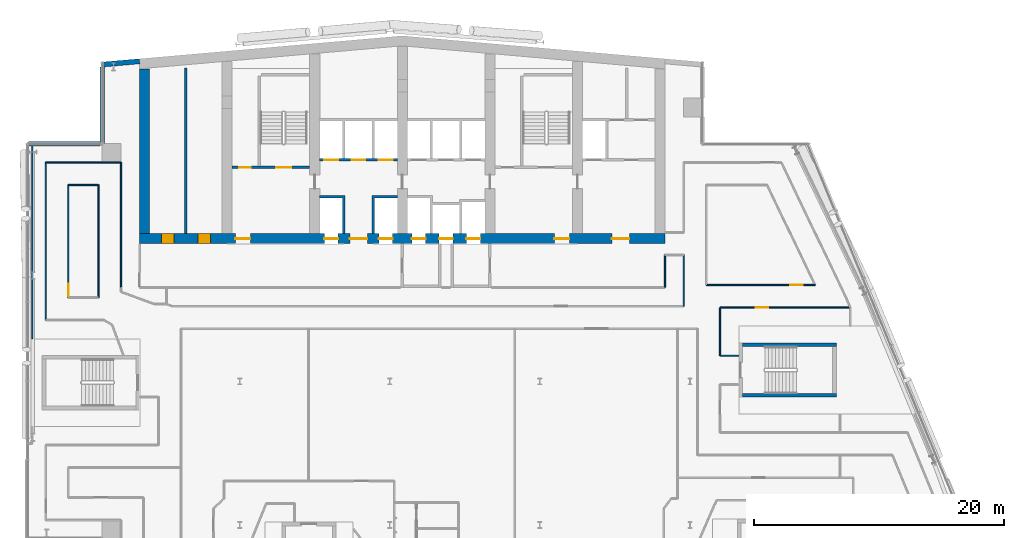
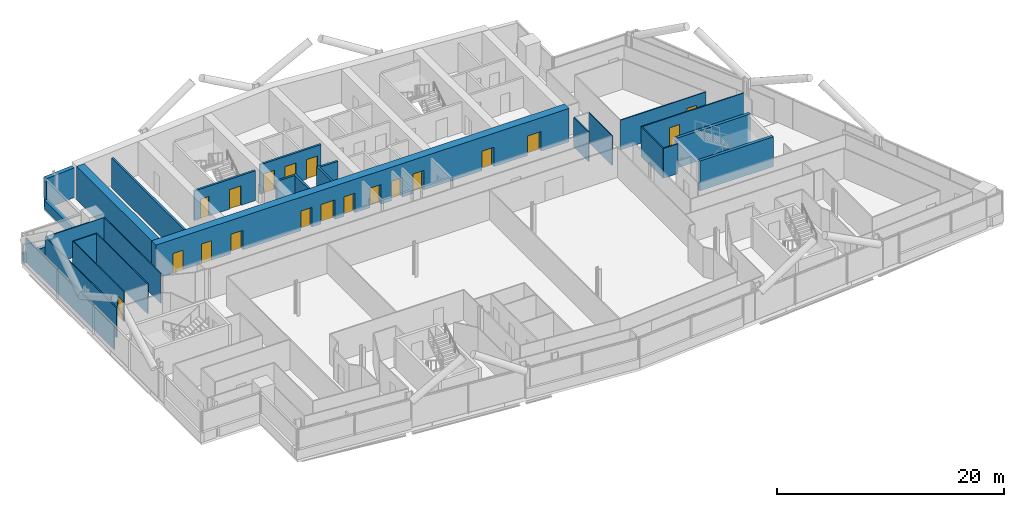
# One storey, part 18 of 27: 25 walls, 19 doors, 19 openings.
"""IFC4 building model written with IfcOpenShell, lengths in metres."""

from ifc_helpers import new_model, si_unit, direction, frame, frame_2d, origin, place, context, subcontext, project, spatial, polyline, rectangle, outline, extrude, material, layer, layer_set, type_object, element, fill, save


model = new_model("IFC4")

# Units and contexts
model_context = context("Model", 3, precision=1e-05, world=origin(), true_north=direction((0.0, 1.0)))
body_context = subcontext(model_context, "Body", "Model", "MODEL_VIEW")
ifc_project = project(units=[si_unit("LENGTHUNIT", "METRE"), si_unit("AREAUNIT", "SQUARE_METRE"), si_unit("VOLUMEUNIT", "CUBIC_METRE"), si_unit("PLANEANGLEUNIT", "RADIAN"), si_unit("MASSUNIT", "GRAM", prefix="KILO")], contexts=[model_context])

# Site, building, storey
site_placement = place(None, origin())
site = spatial("IfcSite", under=ifc_project, at=site_placement, CompositionType="ELEMENT")
building_placement = place(site_placement, origin())
building = spatial("IfcBuilding", under=site, at=building_placement, Name="Wharfspan Tower", CompositionType="ELEMENT")
storey_placement = place(building_placement, frame((0.0, 0.0, 191.5)))
storey = spatial("IfcBuildingStorey", under=building, at=storey_placement, Name="L47", CompositionType="ELEMENT", Elevation=191.5)

# Walls
ifc_material_1 = material(Name="Gypsum board on steel studs", Category="steel")
ifc_layer_1 = layer(ifc_material_1, 0.100098)
ifc_layer_set_1 = layer_set([ifc_layer_1], Name="Gypsum board on steel studs")
wall_type_1 = type_object("IfcWallType", Name="Compartment wall 100 EI 60", PredefinedType="PARTITIONING", material=ifc_layer_set_1)
wall_1_placement = place(storey_placement, frame((8.5, 27.899902, 0.0), z_axis=(0.0, 0.0, 1.0), x_axis=(0.0, 1.0, 0.0)))
element("IfcWall", 1, at=wall_1_placement, inside=storey, type_object=wall_type_1, Name="Partition L47.w007", PredefinedType="PARTITIONING", context=body_context, shape_type="SweptSolid", body=[
    extrude(rectangle(XDim=12.600098, YDim=0.100098, at=frame_2d((6.300049, 0.0))), origin(), (0.0, 0.0, 1.0), 3.199951),
])
wall_2_placement = place(storey_placement, frame((8.5, 40.5, 0.0), z_axis=(0.0, 0.0, 1.0), x_axis=(1.0, 0.0, 0.0)))
element("IfcWall", 2, at=wall_2_placement, inside=storey, type_object=wall_type_1, Name="Partition L47.w009", PredefinedType="PARTITIONING", context=body_context, shape_type="SweptSolid", body=[
    extrude(rectangle(XDim=6.0, YDim=0.100098, at=frame_2d((3.0, 0.0))), origin(), (0.0, 0.0, 1.0), 3.199951),
])

# Wall, opening, door
wall_3_placement = place(storey_placement, frame((10.300049, 29.699951, 0.0), z_axis=(0.0, 0.0, 1.0), x_axis=(0.0, 1.0, 0.0)))
wall_3 = element("IfcWall", 3, at=wall_3_placement, inside=storey, type_object=wall_type_1, Name="Partition L47.w013", PredefinedType="PARTITIONING", context=body_context, shape_type="SweptSolid", body=[
    extrude(rectangle(XDim=9.0, YDim=0.100098, at=frame_2d((4.5, 0.0))), origin(), (0.0, 0.0, 1.0), 3.199951),
])
opening_1_placement = place(wall_3_placement, frame((0.100098, 0.0, 0.0)))
opening_1 = element("IfcOpeningElement", 4, at=opening_1_placement, cuts=wall_3, Name="Opening C5-21", PredefinedType="OPENING", context=body_context, shape_type="SweptSolid", body=[
    extrude(rectangle(XDim=1.0, YDim=2.100098, at=frame_2d((0.5, 1.050049))), frame((0.0, 0.060059, 0.0), z_axis=(0.0, -1.0, 0.0), x_axis=(1.0, 0.0, 0.0)), (0.0, 0.0, 1.0), 0.120117),
])
ifc_material_2 = material(Name="Fire-rated timber door leaf in steel frame", Category="steel")
door_type_1 = type_object("IfcDoorType", Name="Door 1000 FD30S Left", OperationType="SINGLE_SWING_LEFT", PredefinedType="DOOR", material=ifc_material_2)
door_1_placement = place(opening_1_placement, origin())
door_1 = element("IfcDoor", 5, at=door_1_placement, inside=storey, type_object=door_type_1, Name="Door C5-21", OperationType="SINGLE_SWING_LEFT", OverallHeight=2.100098, OverallWidth=1.0, PredefinedType="DOOR", context=body_context, shape_type="SweptSolid", body=[
    extrude(rectangle(XDim=1.0, YDim=2.100098, at=frame_2d((0.5, 1.050049))), frame((0.0, 0.024902, 0.0), z_axis=(0.0, -1.0, 0.0), x_axis=(1.0, 0.0, 0.0)), (0.0, 0.0, 1.0), 0.050049),
])
fill(opening_1, door_1)

# Walls
wall_4_placement = place(storey_placement, frame((10.300049, 38.699951, 0.0), z_axis=(0.0, 0.0, 1.0), x_axis=(1.0, 0.0, 0.0)))
element("IfcWall", 6, at=wall_4_placement, inside=storey, type_object=wall_type_1, Name="Partition L47.w015", PredefinedType="PARTITIONING", context=body_context, shape_type="SweptSolid", body=[
    extrude(rectangle(XDim=2.399902, YDim=0.100098, at=frame_2d((1.199951, 0.0))), origin(), (0.0, 0.0, 1.0), 3.199951),
])
wall_5_placement = place(storey_placement, frame((12.699951, 29.699951, 0.0), z_axis=(0.0, 0.0, 1.0), x_axis=(0.0, 1.0, 0.0)))
element("IfcWall", 7, at=wall_5_placement, inside=storey, type_object=wall_type_1, Name="Partition L47.w016", PredefinedType="PARTITIONING", context=body_context, shape_type="SweptSolid", body=[
    extrude(rectangle(XDim=9.0, YDim=0.100098, at=frame_2d((4.5, 0.0))), origin(), (0.0, 0.0, 1.0), 3.199951),
])
wall_6_placement = place(storey_placement, frame((14.5, 30.5, 0.0), z_axis=(0.0, 0.0, 1.0), x_axis=(0.0, 1.0, 0.0)))
element("IfcWall", 8, at=wall_6_placement, inside=storey, type_object=wall_type_1, Name="Partition L47.w019", PredefinedType="PARTITIONING", context=body_context, shape_type="SweptSolid", body=[
    extrude(rectangle(XDim=10.0, YDim=0.100098, at=frame_2d((5.0, 0.0))), origin(), (0.0, 0.0, 1.0), 3.199951),
])
wall_7_placement = place(storey_placement, frame((58.0, 30.5, 0.0), z_axis=(0.0, 0.0, 1.0), x_axis=(0.0, 1.0, 0.0)))
element("IfcWall", 9, at=wall_7_placement, inside=storey, type_object=wall_type_1, Name="Partition L47.w076", PredefinedType="PARTITIONING", context=body_context, shape_type="SweptSolid", body=[
    extrude(rectangle(XDim=2.600098, YDim=0.100098, at=frame_2d((1.300049, 0.0))), origin(), (0.0, 0.0, 1.0), 3.199951),
])
wall_8_placement = place(storey_placement, frame((59.5, 29.0, 0.0), z_axis=(0.0, 0.0, 1.0), x_axis=(0.0, 1.0, 0.0)))
element("IfcWall", 10, at=wall_8_placement, inside=storey, type_object=wall_type_1, Name="Partition L47.w086", PredefinedType="PARTITIONING", context=body_context, shape_type="SweptSolid", body=[
    extrude(rectangle(XDim=4.100098, YDim=0.100098, at=frame_2d((2.050049, 0.0))), origin(), (0.0, 0.0, 1.0), 3.199951),
])

# Wall, opening, door
wall_9_placement = place(storey_placement, frame((61.300049, 30.699951, 0.0), z_axis=(0.0, 0.0, 1.0), x_axis=(1.0, 0.0, 0.0)))
wall_9 = element("IfcWall", 11, at=wall_9_placement, inside=storey, type_object=wall_type_1, Name="Partition L47.w094", PredefinedType="PARTITIONING", context=body_context, shape_type="SweptSolid", body=[
    extrude(rectangle(XDim=8.699951, YDim=0.100098, at=frame_2d((4.350098, 0.0))), origin(), (0.0, 0.0, 1.0), 3.199951),
])
opening_2_placement = place(wall_9_placement, frame((6.736816, 0.0, 0.0)))
opening_2 = element("IfcOpeningElement", 12, at=opening_2_placement, cuts=wall_9, Name="Opening C5-22", PredefinedType="OPENING", context=body_context, shape_type="SweptSolid", body=[
    extrude(rectangle(XDim=1.0, YDim=2.100098, at=frame_2d((0.5, 1.050049))), frame((0.0, 0.060059, 0.0), z_axis=(0.0, -1.0, 0.0), x_axis=(1.0, 0.0, 0.0)), (0.0, 0.0, 1.0), 0.120117),
])
door_type_2 = type_object("IfcDoorType", Name="Door 1000 FD30S Right", OperationType="SINGLE_SWING_RIGHT", PredefinedType="DOOR", material=ifc_material_2)
door_2_placement = place(opening_2_placement, origin())
door_2 = element("IfcDoor", 13, at=door_2_placement, inside=storey, type_object=door_type_2, Name="Door C5-22", OperationType="SINGLE_SWING_RIGHT", OverallHeight=2.100098, OverallWidth=1.0, PredefinedType="DOOR", context=body_context, shape_type="SweptSolid", body=[
    extrude(rectangle(XDim=1.0, YDim=2.100098, at=frame_2d((0.5, 1.050049))), frame((0.0, 0.024902, 0.0), z_axis=(0.0, -1.0, 0.0), x_axis=(1.0, 0.0, 0.0)), (0.0, 0.0, 1.0), 0.050049),
])
fill(opening_2, door_2)

# Walls
wall_10_placement = place(storey_placement, frame((62.405029, 25.050049, 0.0), z_axis=(0.0, 0.0, 1.0), x_axis=(0.0, 1.0, 0.0)))
element("IfcWall", 14, at=wall_10_placement, inside=storey, type_object=wall_type_1, Name="Partition L47.w101", PredefinedType="PARTITIONING", context=body_context, shape_type="SweptSolid", body=[
    extrude(rectangle(XDim=3.849854, YDim=0.100098, at=frame_2d((1.924805, 0.0))), origin(), (0.0, 0.0, 1.0), 3.199951),
])
wall_11_placement = place(storey_placement, frame((62.405029, 25.050049, 0.0), z_axis=(0.0, 0.0, 1.0), x_axis=(1.0, 0.0, 0.0)))
element("IfcWall", 15, at=wall_11_placement, inside=storey, type_object=wall_type_1, Name="Partition L47.w102", PredefinedType="PARTITIONING", context=body_context, shape_type="SweptSolid", body=[
    extrude(rectangle(XDim=1.479492, YDim=0.100098, at=frame_2d((0.739746, 0.0))), origin(), (0.0, 0.0, 1.0), 3.199951),
])

# Wall, opening, door
wall_12_placement = place(storey_placement, frame((62.405029, 28.899902, 0.0), z_axis=(0.0, 0.0, 1.0), x_axis=(1.0, 0.0, 0.0)))
wall_12 = element("IfcWall", 16, at=wall_12_placement, inside=storey, type_object=wall_type_1, Name="Partition L47.w103", PredefinedType="PARTITIONING", context=body_context, shape_type="SweptSolid", body=[
    extrude(rectangle(XDim=10.405029, YDim=0.100098, at=frame_2d((5.202637, 0.0))), origin(), (0.0, 0.0, 1.0), 3.199951),
])
opening_3_placement = place(wall_12_placement, frame((2.850098, 0.0, 0.0)))
opening_3 = element("IfcOpeningElement", 17, at=opening_3_placement, cuts=wall_12, Name="Opening C5-19", PredefinedType="OPENING", context=body_context, shape_type="SweptSolid", body=[
    extrude(rectangle(XDim=1.0, YDim=2.100098, at=frame_2d((0.5, 1.050049))), frame((0.0, 0.060059, 0.0), z_axis=(0.0, -1.0, 0.0), x_axis=(1.0, 0.0, 0.0)), (0.0, 0.0, 1.0), 0.120117),
])
door_3_placement = place(opening_3_placement, origin())
door_3 = element("IfcDoor", 18, at=door_3_placement, inside=storey, type_object=door_type_1, Name="Door C5-19", OperationType="SINGLE_SWING_LEFT", OverallHeight=2.100098, OverallWidth=1.0, PredefinedType="DOOR", context=body_context, shape_type="SweptSolid", body=[
    extrude(rectangle(XDim=1.0, YDim=2.100098, at=frame_2d((0.5, 1.050049))), frame((0.0, 0.024902, 0.0), z_axis=(0.0, -1.0, 0.0), x_axis=(1.0, 0.0, 0.0)), (0.0, 0.0, 1.0), 0.050049),
])
fill(opening_3, door_3)

# Wall
ifc_material_3 = material(Name="Calcium silicate masonry", Category="masonry")
ifc_layer_2 = layer(ifc_material_3, 0.199951)
ifc_layer_set_2 = layer_set([ifc_layer_2], Name="Calcium silicate masonry")
wall_type_2 = type_object("IfcWallType", Name="Core room wall 200", PredefinedType="PARTITIONING", material=ifc_layer_set_2)
wall_13_placement = place(storey_placement, frame((19.699951, 34.800049, 0.0), z_axis=(0.0, 0.0, 1.0), x_axis=(0.0, 1.0, 0.0)))
element("IfcWall", 19, at=wall_13_placement, inside=storey, type_object=wall_type_2, Name="sw:L47:RM1", PredefinedType="PARTITIONING", context=body_context, shape_type="SweptSolid", body=[
    extrude(rectangle(XDim=13.234131, YDim=0.199951, at=frame_2d((6.617188, 0.0))), origin(), (0.0, 0.0, 1.0), 3.199951),
])

# Wall, openings, doors
ifc_material_4 = material(Name="Concrete C60/75", Category="concrete")
ifc_layer_3 = layer(ifc_material_4, 0.800049)
ifc_layer_set_3 = layer_set([ifc_layer_3], Name="Concrete C60/75")
wall_type_3 = type_object("IfcWallType", Name="Core wall 800 C60/75", PredefinedType="SHEAR", material=ifc_layer_set_3)
wall_14_placement = place(storey_placement, frame((16.0, 34.399902, 0.0), z_axis=(0.0, 0.0, 1.0), x_axis=(1.0, 0.0, 0.0)))
wall_14 = element("IfcWall", 20, at=wall_14_placement, inside=storey, type_object=wall_type_3, Name="Core front wall L47", PredefinedType="SHEAR", context=body_context, shape_type="SweptSolid", body=[
    extrude(rectangle(XDim=42.0, YDim=0.800049, at=frame_2d((21.0, 0.0))), origin(), (0.0, 0.0, 1.0), 3.600098),
])
opening_4_placement = place(wall_14_placement, frame((1.75, 0.0, 0.0)))
opening_4 = element("IfcOpeningElement", 21, at=opening_4_placement, cuts=wall_14, Name="Opening CD47.11", PredefinedType="OPENING", context=body_context, shape_type="SweptSolid", body=[
    extrude(rectangle(XDim=1.0, YDim=2.100098, at=frame_2d((0.5, 1.050049))), frame((0.0, 0.409912, 0.0), z_axis=(0.0, -1.0, 0.0), x_axis=(1.0, 0.0, 0.0)), (0.0, 0.0, 1.0), 0.820068),
])
opening_5_placement = place(wall_14_placement, frame((4.649902, 0.0, 0.0)))
opening_5 = element("IfcOpeningElement", 22, at=opening_5_placement, cuts=wall_14, Name="Opening CD47.12", PredefinedType="OPENING", context=body_context, shape_type="SweptSolid", body=[
    extrude(rectangle(XDim=1.0, YDim=2.100098, at=frame_2d((0.5, 1.050049))), frame((0.0, 0.409912, 0.0), z_axis=(0.0, -1.0, 0.0), x_axis=(1.0, 0.0, 0.0)), (0.0, 0.0, 1.0), 0.820068),
])
opening_6_placement = place(wall_14_placement, frame((7.649902, 0.0, 0.0)))
opening_6 = element("IfcOpeningElement", 23, at=opening_6_placement, cuts=wall_14, Name="Opening SV2.L47", PredefinedType="OPENING", context=body_context, shape_type="SweptSolid", body=[
    extrude(rectangle(XDim=1.199951, YDim=2.100098, at=frame_2d((0.600098, 1.050049))), frame((0.0, 0.409912, 0.0), z_axis=(0.0, -1.0, 0.0), x_axis=(1.0, 0.0, 0.0)), (0.0, 0.0, 1.0), 0.820068),
])
opening_7_placement = place(wall_14_placement, frame((14.766602, 0.0, 0.0)))
opening_7 = element("IfcOpeningElement", 24, at=opening_7_placement, cuts=wall_14, Name="Opening LD.SL1.L47", PredefinedType="OPENING", context=body_context, shape_type="SweptSolid", body=[
    extrude(rectangle(XDim=1.100098, YDim=2.100098, at=frame_2d((0.550049, 1.050049))), frame((0.0, 0.409912, 0.0), z_axis=(0.0, -1.0, 0.0), x_axis=(1.0, 0.0, 0.0)), (0.0, 0.0, 1.0), 0.820068),
])
opening_8_placement = place(wall_14_placement, frame((19.133301, 0.0, 0.0)))
opening_8 = element("IfcOpeningElement", 25, at=opening_8_placement, cuts=wall_14, Name="Opening LD.SL2.L47", PredefinedType="OPENING", context=body_context, shape_type="SweptSolid", body=[
    extrude(rectangle(XDim=1.100098, YDim=2.100098, at=frame_2d((0.550049, 1.050049))), frame((0.0, 0.409912, 0.0), z_axis=(0.0, -1.0, 0.0), x_axis=(1.0, 0.0, 0.0)), (0.0, 0.0, 1.0), 0.820068),
])
opening_9_placement = place(wall_14_placement, frame((16.800049, 0.0, 0.0)))
opening_9 = element("IfcOpeningElement", 26, at=opening_9_placement, cuts=wall_14, Name="Opening HD47.3", PredefinedType="OPENING", context=body_context, shape_type="SweptSolid", body=[
    extrude(rectangle(XDim=1.399902, YDim=2.100098, at=frame_2d((0.699951, 1.050049))), frame((0.0, 0.409912, 0.0), z_axis=(0.0, -1.0, 0.0), x_axis=(1.0, 0.0, 0.0)), (0.0, 0.0, 1.0), 0.820068),
])
opening_10_placement = place(wall_14_placement, frame((21.766602, 0.0, 0.0)))
opening_10 = element("IfcOpeningElement", 27, at=opening_10_placement, cuts=wall_14, Name="Opening LD.FF1.L47", PredefinedType="OPENING", context=body_context, shape_type="SweptSolid", body=[
    extrude(rectangle(XDim=1.100098, YDim=2.100098, at=frame_2d((0.550049, 1.050049))), frame((0.0, 0.409912, 0.0), z_axis=(0.0, -1.0, 0.0), x_axis=(1.0, 0.0, 0.0)), (0.0, 0.0, 1.0), 0.820068),
])
opening_11_placement = place(wall_14_placement, frame((23.949951, 0.0, 0.0)))
opening_11 = element("IfcOpeningElement", 28, at=opening_11_placement, cuts=wall_14, Name="Opening LD.LB7.L47", PredefinedType="OPENING", context=body_context, shape_type="SweptSolid", body=[
    extrude(rectangle(XDim=1.100098, YDim=2.100098, at=frame_2d((0.550049, 1.050049))), frame((0.0, 0.409912, 0.0), z_axis=(0.0, -1.0, 0.0), x_axis=(1.0, 0.0, 0.0)), (0.0, 0.0, 1.0), 0.820068),
])
opening_12_placement = place(wall_14_placement, frame((26.133301, 0.0, 0.0)))
opening_12 = element("IfcOpeningElement", 29, at=opening_12_placement, cuts=wall_14, Name="Opening LD.FF2.L47", PredefinedType="OPENING", context=body_context, shape_type="SweptSolid", body=[
    extrude(rectangle(XDim=1.100098, YDim=2.100098, at=frame_2d((0.550049, 1.050049))), frame((0.0, 0.409912, 0.0), z_axis=(0.0, -1.0, 0.0), x_axis=(1.0, 0.0, 0.0)), (0.0, 0.0, 1.0), 0.820068),
])
opening_13_placement = place(wall_14_placement, frame((33.149902, 0.0, 0.0)))
opening_13 = element("IfcOpeningElement", 30, at=opening_13_placement, cuts=wall_14, Name="Opening SV5.L47", PredefinedType="OPENING", context=body_context, shape_type="SweptSolid", body=[
    extrude(rectangle(XDim=1.199951, YDim=2.100098, at=frame_2d((0.600098, 1.050049))), frame((0.0, 0.409912, 0.0), z_axis=(0.0, -1.0, 0.0), x_axis=(1.0, 0.0, 0.0)), (0.0, 0.0, 1.0), 0.820068),
])
opening_14_placement = place(wall_14_placement, frame((37.766602, 0.0, 0.0)))
opening_14 = element("IfcOpeningElement", 31, at=opening_14_placement, cuts=wall_14, Name="Opening HD47.6", PredefinedType="OPENING", context=body_context, shape_type="SweptSolid", body=[
    extrude(rectangle(XDim=1.399902, YDim=2.100098, at=frame_2d((0.699951, 1.050049))), frame((0.0, 0.409912, 0.0), z_axis=(0.0, -1.0, 0.0), x_axis=(1.0, 0.0, 0.0)), (0.0, 0.0, 1.0), 0.820068),
])
ifc_material_5 = material(Name="Steel door leaf", Category="steel")
door_type_3 = type_object("IfcDoorType", Name="Core room door 1000x2100", OperationType="SINGLE_SWING_LEFT", PredefinedType="DOOR", material=ifc_material_5)
door_4_placement = place(opening_4_placement, origin())
door_4 = element("IfcDoor", 32, at=door_4_placement, inside=storey, type_object=door_type_3, Name="d:L47:1:rf", OperationType="SINGLE_SWING_LEFT", OverallHeight=2.100098, OverallWidth=1.0, PredefinedType="DOOR", context=body_context, shape_type="SweptSolid", body=[
    extrude(rectangle(XDim=1.0, YDim=2.100098, at=frame_2d((0.5, 1.050049))), frame((0.0, 0.399902, 0.0), z_axis=(0.0, -1.0, 0.0), x_axis=(1.0, 0.0, 0.0)), (0.0, 0.0, 1.0), 0.799561),
])
fill(opening_4, door_4)
door_5_placement = place(opening_5_placement, origin())
door_5 = element("IfcDoor", 33, at=door_5_placement, inside=storey, type_object=door_type_3, Name="d:L47:1:rr", OperationType="SINGLE_SWING_RIGHT", OverallHeight=2.100098, OverallWidth=1.0, PredefinedType="DOOR", context=body_context, shape_type="SweptSolid", body=[
    extrude(rectangle(XDim=1.0, YDim=2.100098, at=frame_2d((0.5, 1.050049))), frame((0.0, 0.399902, 0.0), z_axis=(0.0, -1.0, 0.0), x_axis=(1.0, 0.0, 0.0)), (0.0, 0.0, 1.0), 0.799561),
])
fill(opening_5, door_5)
door_type_4 = type_object("IfcDoorType", Name="Hall entry door 1400x2100", OperationType="DOUBLE_DOOR_SINGLE_SWING", PredefinedType="DOOR", material=ifc_material_5)
door_6_placement = place(opening_9_placement, origin())
door_6 = element("IfcDoor", 34, at=door_6_placement, inside=storey, type_object=door_type_4, Name="d:L47:3:hd3", OperationType="DOUBLE_DOOR_SINGLE_SWING", OverallHeight=2.100098, OverallWidth=1.399902, PredefinedType="DOOR", context=body_context, shape_type="SweptSolid", body=[
    extrude(rectangle(XDim=1.399902, YDim=2.100098, at=frame_2d((0.699951, 1.050049))), frame((0.0, 0.024902, 0.0), z_axis=(0.0, -1.0, 0.0), x_axis=(1.0, 0.0, 0.0)), (0.0, 0.0, 1.0), 0.050049),
])
fill(opening_9, door_6)
door_7_placement = place(opening_14_placement, origin())
door_7 = element("IfcDoor", 35, at=door_7_placement, inside=storey, type_object=door_type_4, Name="d:L47:6:hd6", OperationType="DOUBLE_DOOR_SINGLE_SWING", OverallHeight=2.100098, OverallWidth=1.399902, PredefinedType="DOOR", context=body_context, shape_type="SweptSolid", body=[
    extrude(rectangle(XDim=1.399902, YDim=2.100098, at=frame_2d((0.699951, 1.050049))), frame((0.0, 0.024902, 0.0), z_axis=(0.0, -1.0, 0.0), x_axis=(1.0, 0.0, 0.0)), (0.0, 0.0, 1.0), 0.050049),
])
fill(opening_14, door_7)
ifc_material_6 = material(Name="Stainless steel", Category="steel")
door_type_5 = type_object("IfcDoorType", Name="Lift landing door 1100x2100", OperationType="DOUBLE_DOOR_SLIDING", PredefinedType="DOOR", material=ifc_material_6)
door_8_placement = place(opening_7_placement, origin())
door_8 = element("IfcDoor", 36, at=door_8_placement, inside=storey, type_object=door_type_5, Name="Landing door SL1 L47", OperationType="DOUBLE_DOOR_SLIDING", OverallHeight=2.100098, OverallWidth=1.100098, PredefinedType="DOOR", context=body_context, shape_type="SweptSolid", body=[
    extrude(rectangle(XDim=1.100098, YDim=2.100098, at=frame_2d((0.550049, 1.050049))), frame((0.0, 0.024902, 0.0), z_axis=(0.0, -1.0, 0.0), x_axis=(1.0, 0.0, 0.0)), (0.0, 0.0, 1.0), 0.050049),
])
fill(opening_7, door_8)
door_9_placement = place(opening_8_placement, origin())
door_9 = element("IfcDoor", 37, at=door_9_placement, inside=storey, type_object=door_type_5, Name="Landing door SL2 L47", OperationType="DOUBLE_DOOR_SLIDING", OverallHeight=2.100098, OverallWidth=1.100098, PredefinedType="DOOR", context=body_context, shape_type="SweptSolid", body=[
    extrude(rectangle(XDim=1.100098, YDim=2.100098, at=frame_2d((0.550049, 1.050049))), frame((0.0, 0.024902, 0.0), z_axis=(0.0, -1.0, 0.0), x_axis=(1.0, 0.0, 0.0)), (0.0, 0.0, 1.0), 0.050049),
])
fill(opening_8, door_9)
door_10_placement = place(opening_10_placement, origin())
door_10 = element("IfcDoor", 38, at=door_10_placement, inside=storey, type_object=door_type_5, Name="Landing door FF1 L47", OperationType="DOUBLE_DOOR_SLIDING", OverallHeight=2.100098, OverallWidth=1.100098, PredefinedType="DOOR", context=body_context, shape_type="SweptSolid", body=[
    extrude(rectangle(XDim=1.100098, YDim=2.100098, at=frame_2d((0.550049, 1.050049))), frame((0.0, 0.024902, 0.0), z_axis=(0.0, -1.0, 0.0), x_axis=(1.0, 0.0, 0.0)), (0.0, 0.0, 1.0), 0.050049),
])
fill(opening_10, door_10)
door_11_placement = place(opening_11_placement, origin())
door_11 = element("IfcDoor", 39, at=door_11_placement, inside=storey, type_object=door_type_5, Name="Landing door LB7 L47", OperationType="DOUBLE_DOOR_SLIDING", OverallHeight=2.100098, OverallWidth=1.100098, PredefinedType="DOOR", context=body_context, shape_type="SweptSolid", body=[
    extrude(rectangle(XDim=1.100098, YDim=2.100098, at=frame_2d((0.550049, 1.050049))), frame((0.0, 0.024902, 0.0), z_axis=(0.0, -1.0, 0.0), x_axis=(1.0, 0.0, 0.0)), (0.0, 0.0, 1.0), 0.050049),
])
fill(opening_11, door_11)
door_12_placement = place(opening_12_placement, origin())
door_12 = element("IfcDoor", 40, at=door_12_placement, inside=storey, type_object=door_type_5, Name="Landing door FF2 L47", OperationType="DOUBLE_DOOR_SLIDING", OverallHeight=2.100098, OverallWidth=1.100098, PredefinedType="DOOR", context=body_context, shape_type="SweptSolid", body=[
    extrude(rectangle(XDim=1.100098, YDim=2.100098, at=frame_2d((0.550049, 1.050049))), frame((0.0, 0.024902, 0.0), z_axis=(0.0, -1.0, 0.0), x_axis=(1.0, 0.0, 0.0)), (0.0, 0.0, 1.0), 0.050049),
])
fill(opening_12, door_12)
door_type_6 = type_object("IfcDoorType", Name="Stair door 1200x2100", OperationType="SINGLE_SWING_LEFT", PredefinedType="DOOR", material=ifc_material_5)
door_13_placement = place(opening_6_placement, origin())
door_13 = element("IfcDoor", 41, at=door_13_placement, inside=storey, type_object=door_type_6, Name="vd:L47:2", OperationType="SINGLE_SWING_LEFT", OverallHeight=2.100098, OverallWidth=1.199951, PredefinedType="DOOR", context=body_context, shape_type="SweptSolid", body=[
    extrude(rectangle(XDim=1.199951, YDim=2.100098, at=frame_2d((0.600098, 1.050049))), frame((0.0, 0.024902, 0.0), z_axis=(0.0, -1.0, 0.0), x_axis=(1.0, 0.0, 0.0)), (0.0, 0.0, 1.0), 0.050049),
])
fill(opening_6, door_13)
door_14_placement = place(opening_13_placement, origin())
door_14 = element("IfcDoor", 42, at=door_14_placement, inside=storey, type_object=door_type_6, Name="vd:L47:5", OperationType="SINGLE_SWING_LEFT", OverallHeight=2.100098, OverallWidth=1.199951, PredefinedType="DOOR", context=body_context, shape_type="SweptSolid", body=[
    extrude(rectangle(XDim=1.199951, YDim=2.100098, at=frame_2d((0.600098, 1.050049))), frame((0.0, 0.024902, 0.0), z_axis=(0.0, -1.0, 0.0), x_axis=(1.0, 0.0, 0.0)), (0.0, 0.0, 1.0), 0.050049),
])
fill(opening_13, door_14)

# Wall
wall_15_placement = place(storey_placement, frame((16.399902, 34.800049, 0.0), z_axis=(0.0, 0.0, 1.0), x_axis=(0.0, 1.0, 0.0)))
element("IfcWall", 43, at=wall_15_placement, inside=storey, type_object=wall_type_3, Name="Core cross wall EW0 L47", PredefinedType="SHEAR", context=body_context, shape_type="SweptSolid", body=[
    extrude(rectangle(XDim=13.184326, YDim=0.800049, at=frame_2d((6.592285, 0.0))), origin(), (0.0, 0.0, 1.0), 3.600098),
])

# Wall, openings, doors
ifc_material_7 = material(Name="Concrete C30/37", Category="concrete")
ifc_layer_4 = layer(ifc_material_7, 0.199951)
ifc_layer_set_4 = layer_set([ifc_layer_4], Name="Concrete C30/37")
wall_type_4 = type_object("IfcWallType", Name="Lift shaft wall 200", PredefinedType="PARTITIONING", material=ifc_layer_set_4)
wall_16_placement = place(storey_placement, frame((30.399902, 40.699951, 0.0), z_axis=(0.0, 0.0, 1.0), x_axis=(1.0, 0.0, 0.0)))
wall_16 = element("IfcWall", 44, at=wall_16_placement, inside=storey, type_object=wall_type_4, Name="sw:L47:RF3", PredefinedType="PARTITIONING", context=body_context, shape_type="SweptSolid", body=[
    extrude(rectangle(XDim=6.200195, YDim=0.199951, at=frame_2d((3.100098, 0.0))), origin(), (0.0, 0.0, 1.0), 3.199951),
])
opening_15_placement = place(wall_16_placement, frame((0.366699, 0.0, 0.0)))
opening_15 = element("IfcOpeningElement", 45, at=opening_15_placement, cuts=wall_16, Name="Opening LD.LB1.L47", PredefinedType="OPENING", context=body_context, shape_type="SweptSolid", body=[
    extrude(rectangle(XDim=1.100098, YDim=2.100098, at=frame_2d((0.550049, 1.050049))), frame((0.0, 0.109863, 0.0), z_axis=(0.0, -1.0, 0.0), x_axis=(1.0, 0.0, 0.0)), (0.0, 0.0, 1.0), 0.219971),
])
opening_16_placement = place(wall_16_placement, frame((2.550049, 0.0, 0.0)))
opening_16 = element("IfcOpeningElement", 46, at=opening_16_placement, cuts=wall_16, Name="Opening LD.LB2.L47", PredefinedType="OPENING", context=body_context, shape_type="SweptSolid", body=[
    extrude(rectangle(XDim=1.100098, YDim=2.100098, at=frame_2d((0.550049, 1.050049))), frame((0.0, 0.109863, 0.0), z_axis=(0.0, -1.0, 0.0), x_axis=(1.0, 0.0, 0.0)), (0.0, 0.0, 1.0), 0.219971),
])
opening_17_placement = place(wall_16_placement, frame((4.733398, 0.0, 0.0)))
opening_17 = element("IfcOpeningElement", 47, at=opening_17_placement, cuts=wall_16, Name="Opening LD.LB3.L47", PredefinedType="OPENING", context=body_context, shape_type="SweptSolid", body=[
    extrude(rectangle(XDim=1.100098, YDim=2.100098, at=frame_2d((0.550049, 1.050049))), frame((0.0, 0.109863, 0.0), z_axis=(0.0, -1.0, 0.0), x_axis=(1.0, 0.0, 0.0)), (0.0, 0.0, 1.0), 0.219971),
])
door_15_placement = place(opening_15_placement, origin())
door_15 = element("IfcDoor", 48, at=door_15_placement, inside=storey, type_object=door_type_5, Name="Landing door LB1 L47", OperationType="DOUBLE_DOOR_SLIDING", OverallHeight=2.100098, OverallWidth=1.100098, PredefinedType="DOOR", context=body_context, shape_type="SweptSolid", body=[
    extrude(rectangle(XDim=1.100098, YDim=2.100098, at=frame_2d((0.550049, 1.050049))), frame((0.0, 0.024902, 0.0), z_axis=(0.0, -1.0, 0.0), x_axis=(1.0, 0.0, 0.0)), (0.0, 0.0, 1.0), 0.050049),
])
fill(opening_15, door_15)
door_16_placement = place(opening_16_placement, origin())
door_16 = element("IfcDoor", 49, at=door_16_placement, inside=storey, type_object=door_type_5, Name="Landing door LB2 L47", OperationType="DOUBLE_DOOR_SLIDING", OverallHeight=2.100098, OverallWidth=1.100098, PredefinedType="DOOR", context=body_context, shape_type="SweptSolid", body=[
    extrude(rectangle(XDim=1.100098, YDim=2.100098, at=frame_2d((0.550049, 1.050049))), frame((0.0, 0.024902, 0.0), z_axis=(0.0, -1.0, 0.0), x_axis=(1.0, 0.0, 0.0)), (0.0, 0.0, 1.0), 0.050049),
])
fill(opening_16, door_16)
door_17_placement = place(opening_17_placement, origin())
door_17 = element("IfcDoor", 50, at=door_17_placement, inside=storey, type_object=door_type_5, Name="Landing door LB3 L47", OperationType="DOUBLE_DOOR_SLIDING", OverallHeight=2.100098, OverallWidth=1.100098, PredefinedType="DOOR", context=body_context, shape_type="SweptSolid", body=[
    extrude(rectangle(XDim=1.100098, YDim=2.100098, at=frame_2d((0.550049, 1.050049))), frame((0.0, 0.024902, 0.0), z_axis=(0.0, -1.0, 0.0), x_axis=(1.0, 0.0, 0.0)), (0.0, 0.0, 1.0), 0.050049),
])
fill(opening_17, door_17)

# Walls
wall_17_placement = place(storey_placement, frame((0.0, 0.0, -0.000244)))
element("IfcWall", 51, at=wall_17_placement, inside=storey, type_object=wall_type_4, Name="sw:L47:FM3.0", PredefinedType="PARTITIONING", context=body_context, shape_type="SweptSolid", body=[
    extrude(outline(polyline([(32.233398, 37.649902), (30.399902, 37.649902), (30.399902, 37.850098), (32.233398, 37.850098), (32.43335, 37.850098), (32.43335, 34.800049), (32.233398, 34.800049), (32.233398, 37.649902)])), origin(), (0.0, 0.0, 1.0), 3.200195),
])
wall_18_placement = place(storey_placement, frame((0.0, 0.0, -0.000244)))
element("IfcWall", 52, at=wall_18_placement, inside=storey, type_object=wall_type_4, Name="sw:L47:FM3.1", PredefinedType="PARTITIONING", context=body_context, shape_type="SweptSolid", body=[
    extrude(outline(polyline([(34.56665, 37.850098), (34.766602, 37.850098), (36.600098, 37.850098), (36.600098, 37.649902), (34.766602, 37.649902), (34.766602, 34.800049), (34.56665, 34.800049), (34.56665, 37.850098)])), origin(), (0.0, 0.0, 1.0), 3.200195),
])
ifc_layer_5 = layer(ifc_material_1, 0.100098)
ifc_layer_set_5 = layer_set([ifc_layer_5], Name="Gypsum board on steel studs")
wall_type_5 = type_object("IfcWallType", Name="Partition 100", PredefinedType="PARTITIONING", material=ifc_layer_set_5)
wall_19_placement = place(storey_placement, frame((7.419922, 26.419922, 0.0), z_axis=(0.0, 0.0, 1.0), x_axis=(0.0, 1.0, 0.0)))
element("IfcWall", 53, at=wall_19_placement, inside=storey, type_object=wall_type_5, Name="Partition L47.w003", PredefinedType="PARTITIONING", context=body_context, shape_type="SweptSolid", body=[
    extrude(rectangle(XDim=15.560059, YDim=0.100098, at=frame_2d((7.780029, 0.0))), origin(), (0.0, 0.0, 1.0), 2.580078),
])
ifc_material_8 = material(Name="Concrete C40/50", Category="concrete")
ifc_layer_6 = layer(ifc_material_8, 0.350098)
ifc_layer_set_6 = layer_set([ifc_layer_6], Name="Concrete C40/50")
wall_type_6 = type_object("IfcWallType", Name="SPANDREL EXPOSED CONCRETE 350", PredefinedType="SOLIDWALL", material=ifc_layer_set_6)
wall_20_placement = place(storey_placement, frame((12.995117, 48.126465, 0.0), z_axis=(0.0, 0.0, 1.0), x_axis=(0.0, -1.0, 0.0)))
element("IfcWall", 54, at=wall_20_placement, inside=storey, type_object=wall_type_6, Name="Spandrel upstand L47 NRW-V", PredefinedType="SOLIDWALL", context=body_context, shape_type="SweptSolid", body=[
    extrude(rectangle(XDim=6.126465, YDim=0.350098, at=frame_2d((3.063232, 0.0))), origin(), (0.0, 0.0, 1.0), 1.0),
])
wall_21_placement = place(storey_placement, frame((12.820068, 42.004883, 0.0), z_axis=(0.0, 0.0, 1.0), x_axis=(-1.0, 0.0, 0.0)))
element("IfcWall", 55, at=wall_21_placement, inside=storey, type_object=wall_type_6, Name="Spandrel upstand L47 NRW-H", PredefinedType="SOLIDWALL", context=body_context, shape_type="SweptSolid", body=[
    extrude(rectangle(XDim=5.699951, YDim=0.350098, at=frame_2d((2.850098, 0.0))), origin(), (0.0, 0.0, 1.0), 1.0),
])
ifc_layer_7 = layer(ifc_material_8, 0.300049)
ifc_layer_set_7 = layer_set([ifc_layer_7], Name="Concrete C40/50")
wall_type_7 = type_object("IfcWallType", Name="Stair core wall 300", PredefinedType="SHEAR", material=ifc_layer_set_7)
for number, where, z_axis, x_axis, name in (
    (56, (64.20459, 21.875, 0.0), (0.0, 0.0, 1.0), (1.0, 0.0, 0.0), "ST6 stair enclosure wall L47"),
    (57, (64.20459, 25.925049, 0.0), (0.0, 0.0, 1.0), (1.0, 0.0, 0.0), "ST6 stair enclosure wall L47"),
):
    element("IfcWall", number, at=place(storey_placement, frame(where, z_axis=z_axis, x_axis=x_axis)), inside=storey, type_object=wall_type_7, Name=name, PredefinedType="SHEAR", context=body_context, shape_type="SweptSolid", body=[
        extrude(rectangle(XDim=7.5, YDim=0.300049, at=frame_2d((3.75, 0.0))), origin(), (0.0, 0.0, 1.0), 3.199951),
    ])

# Wall, openings, doors
ifc_layer_8 = layer(ifc_material_8, 0.199951)
ifc_layer_set_8 = layer_set([ifc_layer_8], Name="Concrete C40/50")
wall_type_8 = type_object("IfcWallType", Name="Stair shaft wall 200", PredefinedType="SHEAR", material=ifc_layer_set_8)
wall_22_placement = place(storey_placement, frame((23.399902, 40.100098, 0.0), z_axis=(0.0, 0.0, 1.0), x_axis=(1.0, 0.0, 0.0)))
wall_22 = element("IfcWall", 58, at=wall_22_placement, inside=storey, type_object=wall_type_8, Name="ST1 stair enclosure wall L47", PredefinedType="SHEAR", context=body_context, shape_type="SweptSolid", body=[
    extrude(rectangle(XDim=6.200195, YDim=0.199951, at=frame_2d((3.100098, 0.0))), origin(), (0.0, 0.0, 1.0), 3.199951),
])
opening_18_placement = place(wall_22_placement, frame((3.524902, 0.0, 0.0)))
opening_18 = element("IfcOpeningElement", 59, at=opening_18_placement, cuts=wall_22, Name="Opening SD2.L47", PredefinedType="OPENING", context=body_context, shape_type="SweptSolid", body=[
    extrude(rectangle(XDim=1.199951, YDim=2.100098, at=frame_2d((0.600098, 1.050049))), frame((0.0, 0.109863, 0.0), z_axis=(0.0, -1.0, 0.0), x_axis=(1.0, 0.0, 0.0)), (0.0, 0.0, 1.0), 0.219971),
])
opening_19_placement = place(wall_22_placement, frame((0.574951, 0.0, 0.0)))
opening_19 = element("IfcOpeningElement", 60, at=opening_19_placement, cuts=wall_22, Name="Opening CD47.2R", PredefinedType="OPENING", context=body_context, shape_type="SweptSolid", body=[
    extrude(rectangle(XDim=0.899902, YDim=2.100098, at=frame_2d((0.449951, 1.050049))), frame((0.0, 0.109863, 0.0), z_axis=(0.0, -1.0, 0.0), x_axis=(1.0, 0.0, 0.0)), (0.0, 0.0, 1.0), 0.219971),
])
door_18_placement = place(opening_19_placement, origin())
door_18 = element("IfcDoor", 61, at=door_18_placement, inside=storey, type_object=door_type_3, Name="rk:L47:2", OperationType="SINGLE_SWING_LEFT", OverallHeight=2.100098, OverallWidth=0.899902, PredefinedType="DOOR", context=body_context, shape_type="SweptSolid", body=[
    extrude(rectangle(XDim=0.899902, YDim=2.100098, at=frame_2d((0.449951, 1.050049))), frame((0.0, 0.024902, 0.0), z_axis=(0.0, -1.0, 0.0), x_axis=(1.0, 0.0, 0.0)), (0.0, 0.0, 1.0), 0.050049),
])
fill(opening_19, door_18)
door_19_placement = place(opening_18_placement, origin())
door_19 = element("IfcDoor", 62, at=door_19_placement, inside=storey, type_object=door_type_6, Name="sd:L47:2", OperationType="SINGLE_SWING_RIGHT", OverallHeight=2.100098, OverallWidth=1.199951, PredefinedType="DOOR", context=body_context, shape_type="SweptSolid", body=[
    extrude(rectangle(XDim=1.199951, YDim=2.100098, at=frame_2d((0.600098, 1.050049))), frame((0.0, 0.024902, 0.0), z_axis=(0.0, -1.0, 0.0), x_axis=(1.0, 0.0, 0.0)), (0.0, 0.0, 1.0), 0.050049),
])
fill(opening_18, door_19)

# Wall
ifc_layer_9 = layer(ifc_material_8, 0.399902)
ifc_layer_set_9 = layer_set([ifc_layer_9], Name="Concrete C40/50")
wall_type_9 = type_object("IfcWallType", Name="WALL EXPOSED CONCRETE 400", PredefinedType="SOLIDWALL", material=ifc_layer_set_9)
wall_23_placement = place(storey_placement, frame((16.0, 48.58667, 0.0), z_axis=(0.0, 0.0, 1.0), x_axis=(-0.996194, -0.087168, 0.0)))
element("IfcWall", 63, at=wall_23_placement, inside=storey, type_object=wall_type_9, Name="Rear wall N1", PredefinedType="SOLIDWALL", context=body_context, shape_type="SweptSolid", body=[
    extrude(rectangle(XDim=2.994141, YDim=0.399902, at=frame_2d((1.49707, 0.0))), origin(), (0.0, 0.0, 1.0), 3.199951),
])

save(model, "model.ifc")
